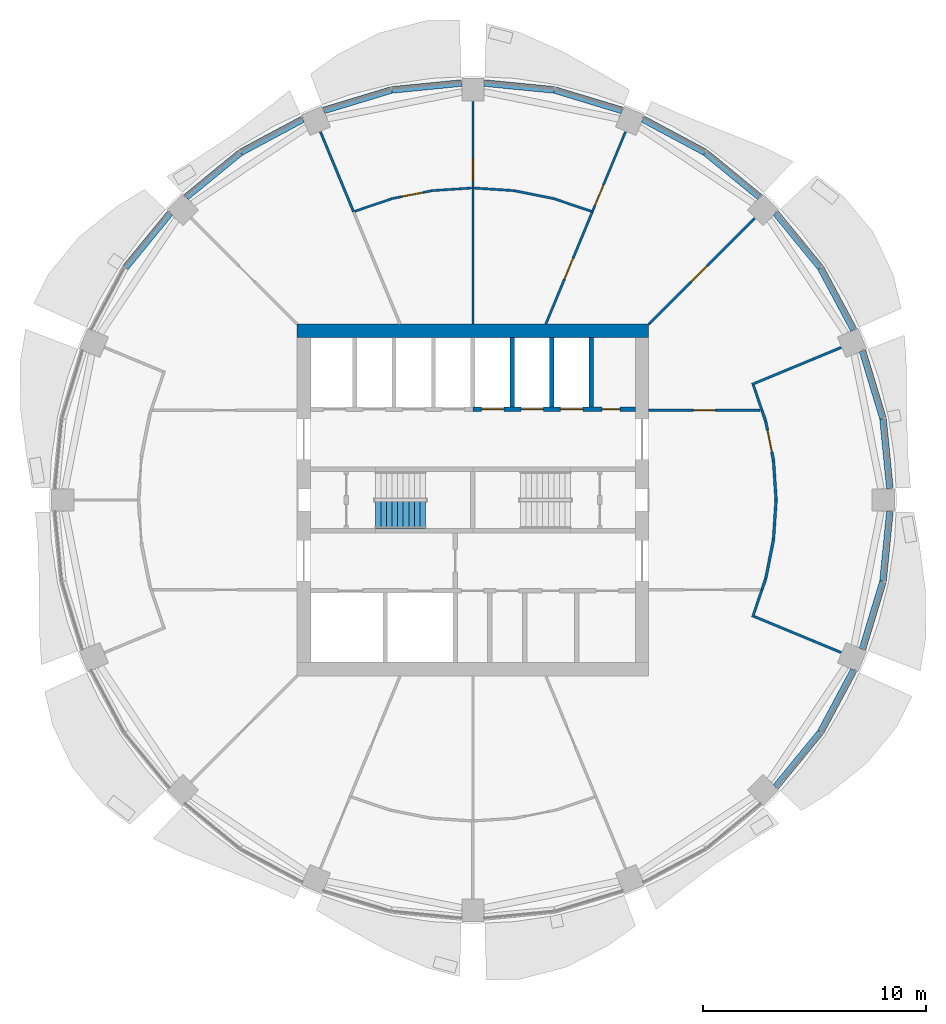
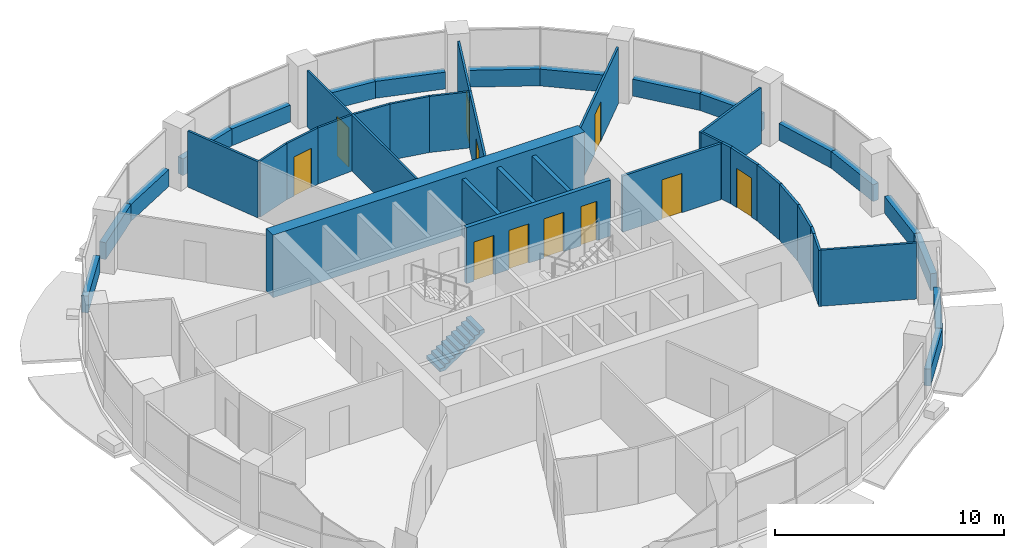
# One storey, part 10 of 15: 45 walls, 11 doors, 1 stair flight, 11 openings, 1 element without a shape of its own.
"""IFC4 building model written with IfcOpenShell, lengths in metres."""

from ifc_helpers import new_model, si_unit, direction, frame, frame_2d, origin, place, context, subcontext, project, spatial, polyline, rectangle, outline, extrude, material, layer, layer_set, type_object, element, fill, aggregate, save


model = new_model("IFC4")

# Units and contexts
model_context = context("Model", 3, precision=1e-05, world=origin(), true_north=direction((0.0, 1.0)))
body_context = subcontext(model_context, "Body", "Model", "MODEL_VIEW")
ifc_project = project(units=[si_unit("LENGTHUNIT", "METRE"), si_unit("AREAUNIT", "SQUARE_METRE"), si_unit("VOLUMEUNIT", "CUBIC_METRE"), si_unit("PLANEANGLEUNIT", "RADIAN"), si_unit("MASSUNIT", "GRAM", prefix="KILO")], contexts=[model_context])

# Site, building, storey
site_placement = place(None, origin())
site = spatial("IfcSite", under=ifc_project, at=site_placement, CompositionType="ELEMENT")
building_placement = place(site_placement, origin())
building = spatial("IfcBuilding", under=site, at=building_placement, Name="Polderwave Tower", CompositionType="ELEMENT")
storey_placement = place(building_placement, frame((0.0, 0.0, 137.699951171875)))
storey = spatial("IfcBuildingStorey", under=building, at=storey_placement, Name="L36", CompositionType="ELEMENT", Elevation=137.699951171875)

# Walls
ifc_material_1 = material(Name="Concrete C60/75", Category="concrete")
ifc_layer_1 = layer(ifc_material_1, 0.60009765625)
ifc_layer_set_1 = layer_set([ifc_layer_1], Name="CORE WALL 600 C60/75")
wall_type_1 = type_object("IfcWallType", Name="CORE WALL 600 C60/75", PredefinedType="SHEAR", material=ifc_layer_set_1)
wall_1_placement = place(storey_placement, frame((-7.8740234375, 7.573974609375, 0.0), z_axis=(0.0, 0.0, 1.0), x_axis=(1.0, 0.0, 0.0)))
element("IfcWall", 1, at=wall_1_placement, inside=storey, type_object=wall_type_1, Name="ST-CORE-L36-N", PredefinedType="SHEAR", context=body_context, shape_type="SweptSolid", body=[
    extrude(rectangle(XDim=15.748046875, YDim=0.60009765625, at=frame_2d((7.8740234375, 0.0))), origin(), (0.0, 0.0, 1.0), 3.35009765625),
])
ifc_material_2 = material(Name="Concrete C50/60 (board-marked)", Category="concrete")
ifc_layer_2 = layer(ifc_material_2, 0.300048828125)
ifc_layer_set_2 = layer_set([ifc_layer_2], Name="Concrete spandrel upstand C50/60")
wall_type_2 = type_object("IfcWallType", Name="Concrete spandrel upstand C50/60", PredefinedType="SOLIDWALL", material=ifc_layer_set_2)
for number, where, z_axis, x_axis, name in (
    (2, (18.679443359375, 0.513916015625, 0.0), (0.0, 0.0, 1.0), (-0.098033428421, 0.995183122301, 0.0), "Spandrel L36 1a"),
    (3, (18.365478515625, 3.66845703125, 0.0), (0.0, 0.0, 1.0), (-0.290434573745, 0.956894852308, 0.0), "Spandrel L36 1b"),
):
    element("IfcWall", number, at=place(storey_placement, frame(where, z_axis=z_axis, x_axis=x_axis)), inside=storey, type_object=wall_type_2, Name=name, PredefinedType="SOLIDWALL", context=body_context, shape_type="SweptSolid", body=[
        extrude(rectangle(XDim=3.140380859375, YDim=0.300048828125, at=frame_2d((1.5703125, 0.0))), origin(), (0.0, 0.0, 1.0), 0.900146484375),
    ])
for number, where, z_axis, x_axis, name in (
    (4, (17.060791015625, 7.623291015625, 0.0), (0.0, 0.0, 1.0), (-0.471487773873, 0.881872597991, 0.0), "Spandrel L36 2a"),
    (5, (15.5634765625, 10.41748046875, 0.0), (0.0, 0.0, 1.0), (-0.634270150579, 0.773111490074, 0.0), "Spandrel L36 2b"),
    (6, (12.845458984375, 13.571533203125, 0.0), (0.0, 0.0, 1.0), (-0.773111490074, 0.634270150579, 0.0), "Spandrel L36 3a"),
    (7, (10.392822265625, 15.580078125, 0.0), (0.0, 0.0, 1.0), (-0.881872597991, 0.471487773873, 0.0), "Spandrel L36 3b"),
):
    element("IfcWall", number, at=place(storey_placement, frame(where, z_axis=z_axis, x_axis=x_axis)), inside=storey, type_object=wall_type_2, Name=name, PredefinedType="SOLIDWALL", context=body_context, shape_type="SweptSolid", body=[
        extrude(rectangle(XDim=3.140625, YDim=0.300048828125, at=frame_2d((1.5703125, 0.0))), origin(), (0.0, 0.0, 1.0), 0.900146484375),
    ])
for number, where, z_axis, x_axis, name in (
    (8, (6.673583984375, 17.453369140625, 0.0), (0.0, 0.0, 1.0), (-0.956894852308, 0.290434573745, 0.0), "Spandrel L36 4a"),
    (9, (3.63916015625, 18.37158203125, 0.0), (0.0, 0.0, 1.0), (-0.995183122301, 0.098033428421, 0.0), "Spandrel L36 4b"),
    (10, (-0.513916015625, 18.679443359375, 0.0), (0.0, 0.0, 1.0), (-0.995183122301, -0.098033428421, 0.0), "Spandrel L36 5a"),
    (11, (-3.66845703125, 18.365478515625, 0.0), (0.0, 0.0, 1.0), (-0.956894852308, -0.290434573745, 0.0), "Spandrel L36 5b"),
):
    element("IfcWall", number, at=place(storey_placement, frame(where, z_axis=z_axis, x_axis=x_axis)), inside=storey, type_object=wall_type_2, Name=name, PredefinedType="SOLIDWALL", context=body_context, shape_type="SweptSolid", body=[
        extrude(rectangle(XDim=3.140380859375, YDim=0.300048828125, at=frame_2d((1.5703125, 0.0))), origin(), (0.0, 0.0, 1.0), 0.900146484375),
    ])
for number, where, z_axis, x_axis, name in (
    (12, (-7.623291015625, 17.060791015625, 0.0), (0.0, 0.0, 1.0), (-0.881872597991, -0.471487773873, 0.0), "Spandrel L36 6a"),
    (13, (-10.41748046875, 15.5634765625, 0.0), (0.0, 0.0, 1.0), (-0.773111490074, -0.634270150579, 0.0), "Spandrel L36 6b"),
    (14, (-13.571533203125, 12.845458984375, 0.0), (0.0, 0.0, 1.0), (-0.634270150579, -0.773111490074, 0.0), "Spandrel L36 7a"),
    (15, (13.571533203125, -12.845458984375, 0.0), (0.0, 0.0, 1.0), (0.634270150579, 0.773111490074, 0.0), "Spandrel L36 15a"),
    (16, (15.580078125, -10.392822265625, 0.0), (0.0, 0.0, 1.0), (0.471487773873, 0.881872597991, 0.0), "Spandrel L36 15b"),
):
    element("IfcWall", number, at=place(storey_placement, frame(where, z_axis=z_axis, x_axis=x_axis)), inside=storey, type_object=wall_type_2, Name=name, PredefinedType="SOLIDWALL", context=body_context, shape_type="SweptSolid", body=[
        extrude(rectangle(XDim=3.140625, YDim=0.300048828125, at=frame_2d((1.5703125, 0.0))), origin(), (0.0, 0.0, 1.0), 0.900146484375),
    ])
for number, where, z_axis, x_axis, name in (
    (17, (17.453369140625, -6.673583984375, 0.0), (0.0, 0.0, 1.0), (0.290434573745, 0.956894852308, 0.0), "Spandrel L36 16a"),
    (18, (18.37158203125, -3.63916015625, 0.0), (0.0, 0.0, 1.0), (0.098033428421, 0.995183122301, 0.0), "Spandrel L36 16b"),
):
    element("IfcWall", number, at=place(storey_placement, frame(where, z_axis=z_axis, x_axis=x_axis)), inside=storey, type_object=wall_type_2, Name=name, PredefinedType="SOLIDWALL", context=body_context, shape_type="SweptSolid", body=[
        extrude(rectangle(XDim=3.140380859375, YDim=0.300048828125, at=frame_2d((1.5703125, 0.0))), origin(), (0.0, 0.0, 1.0), 0.900146484375),
    ])

# Wall, openings, doors
ifc_material_3 = material(Name="Concrete C50/60", Category="concrete")
ifc_layer_3 = layer(ifc_material_3, 0.199951171875)
ifc_layer_set_3 = layer_set([ifc_layer_3], Name="Core web wall 200")
wall_type_3 = type_object("IfcWallType", Name="Core web wall 200", PredefinedType="SHEAR", material=ifc_layer_set_3)
wall_2_placement = place(storey_placement, frame((0.0, 4.073974609375, 0.0), z_axis=(0.0, 0.0, 1.0), x_axis=(1.0, 0.0, 0.0)))
wall_2 = element("IfcWall", 19, at=wall_2_placement, inside=storey, type_object=wall_type_3, Name="L36 north front wall 2", PredefinedType="SHEAR", context=body_context, shape_type="SweptSolid", body=[
    extrude(rectangle(XDim=7.27392578125, YDim=0.199951171875, at=frame_2d((3.636962890625, 0.0))), origin(), (0.0, 0.0, 1.0), 3.0),
])
opening_1_placement = place(wall_2_placement, frame((0.38427734375, 0.0, 0.0)))
opening_1 = element("IfcOpeningElement", 20, at=opening_1_placement, cuts=wall_2, Name="Opening L36-D07", PredefinedType="OPENING", context=body_context, shape_type="SweptSolid", body=[
    extrude(rectangle(XDim=1.0, YDim=2.10009765625, at=frame_2d((0.5, 1.050048828125))), frame((0.0, 0.10986328125, 0.0), z_axis=(0.0, -1.0, 0.0), x_axis=(1.0, 0.0, 0.0)), (0.0, 0.0, 1.0), 0.219970703125),
])
opening_2_placement = place(wall_2_placement, frame((2.15283203125, 0.0, 0.0)))
opening_2 = element("IfcOpeningElement", 21, at=opening_2_placement, cuts=wall_2, Name="Opening L36-D08", PredefinedType="OPENING", context=body_context, shape_type="SweptSolid", body=[
    extrude(rectangle(XDim=1.0, YDim=2.10009765625, at=frame_2d((0.5, 1.050048828125))), frame((0.0, 0.10986328125, 0.0), z_axis=(0.0, -1.0, 0.0), x_axis=(1.0, 0.0, 0.0)), (0.0, 0.0, 1.0), 0.219970703125),
])
opening_3_placement = place(wall_2_placement, frame((3.921142578125, 0.0, 0.0)))
opening_3 = element("IfcOpeningElement", 22, at=opening_3_placement, cuts=wall_2, Name="Opening L36-D09", PredefinedType="OPENING", context=body_context, shape_type="SweptSolid", body=[
    extrude(rectangle(XDim=1.0, YDim=2.10009765625, at=frame_2d((0.5, 1.050048828125))), frame((0.0, 0.10986328125, 0.0), z_axis=(0.0, -1.0, 0.0), x_axis=(1.0, 0.0, 0.0)), (0.0, 0.0, 1.0), 0.219970703125),
])
opening_4_placement = place(wall_2_placement, frame((5.789794921875, 0.0, 0.0)))
opening_4 = element("IfcOpeningElement", 23, at=opening_4_placement, cuts=wall_2, Name="Opening L36-D19", PredefinedType="OPENING", context=body_context, shape_type="SweptSolid", body=[
    extrude(rectangle(XDim=0.800048828125, YDim=2.10009765625, at=frame_2d((0.39990234375, 1.050048828125))), frame((0.0, 0.10986328125, 0.0), z_axis=(0.0, -1.0, 0.0), x_axis=(1.0, 0.0, 0.0)), (0.0, 0.0, 1.0), 0.219970703125),
])
ifc_material_4 = material(Name="Stainless steel", Category="steel")
door_type_1 = type_object("IfcDoorType", Name="Lift landing door 1000", OperationType="DOUBLE_DOOR_SLIDING", PredefinedType="DOOR", material=ifc_material_4)
door_1_placement = place(opening_1_placement, frame((1.0, 0.0, 0.0), z_axis=(0.0, 0.0, 1.0), x_axis=(-1.0, 0.0, 0.0)))
door_1 = element("IfcDoor", 24, at=door_1_placement, inside=storey, type_object=door_type_1, Name="Lift HL5 landing door", OperationType="DOUBLE_DOOR_SLIDING", OverallHeight=2.10009765625, OverallWidth=1.0, PredefinedType="DOOR", context=body_context, shape_type="SweptSolid", body=[
    extrude(rectangle(XDim=1.0, YDim=2.10009765625, at=frame_2d((0.5, 1.050048828125))), frame((0.0, 0.02490234375, 0.0), z_axis=(0.0, -1.0, 0.0), x_axis=(1.0, 0.0, 0.0)), (0.0, 0.0, 1.0), 0.050048828125),
])
fill(opening_1, door_1)
door_2_placement = place(opening_2_placement, frame((1.0, 0.0, 0.0), z_axis=(0.0, 0.0, 1.0), x_axis=(-1.0, 0.0, 0.0)))
door_2 = element("IfcDoor", 25, at=door_2_placement, inside=storey, type_object=door_type_1, Name="Lift HL6 landing door", OperationType="DOUBLE_DOOR_SLIDING", OverallHeight=2.10009765625, OverallWidth=1.0, PredefinedType="DOOR", context=body_context, shape_type="SweptSolid", body=[
    extrude(rectangle(XDim=1.0, YDim=2.10009765625, at=frame_2d((0.5, 1.050048828125))), frame((0.0, 0.02490234375, 0.0), z_axis=(0.0, -1.0, 0.0), x_axis=(1.0, 0.0, 0.0)), (0.0, 0.0, 1.0), 0.050048828125),
])
fill(opening_2, door_2)
door_3_placement = place(opening_3_placement, frame((1.0, 0.0, 0.0), z_axis=(0.0, 0.0, 1.0), x_axis=(-1.0, 0.0, 0.0)))
door_3 = element("IfcDoor", 26, at=door_3_placement, inside=storey, type_object=door_type_1, Name="Lift HL7 landing door", OperationType="DOUBLE_DOOR_SLIDING", OverallHeight=2.10009765625, OverallWidth=1.0, PredefinedType="DOOR", context=body_context, shape_type="SweptSolid", body=[
    extrude(rectangle(XDim=1.0, YDim=2.10009765625, at=frame_2d((0.5, 1.050048828125))), frame((0.0, 0.02490234375, 0.0), z_axis=(0.0, -1.0, 0.0), x_axis=(1.0, 0.0, 0.0)), (0.0, 0.0, 1.0), 0.050048828125),
])
fill(opening_3, door_3)
ifc_material_5 = material(Name="Steel fire door", Category="steel")
door_type_2 = type_object("IfcDoorType", Name="Riser door 800", OperationType="NOTDEFINED", PredefinedType="DOOR", material=ifc_material_5)
door_4_placement = place(opening_4_placement, frame((0.800048828125, 0.0, 0.0), z_axis=(0.0, 0.0, 1.0), x_axis=(-1.0, 0.0, 0.0)))
door_4 = element("IfcDoor", 27, at=door_4_placement, inside=storey, type_object=door_type_2, Name="Riser door", OperationType="SINGLE_SWING_LEFT", OverallHeight=2.10009765625, OverallWidth=0.800048828125, PredefinedType="DOOR", context=body_context, shape_type="SweptSolid", body=[
    extrude(rectangle(XDim=0.800048828125, YDim=2.10009765625, at=frame_2d((0.39990234375, 1.050048828125))), frame((0.0, 0.02490234375, 0.0), z_axis=(0.0, -1.0, 0.0), x_axis=(1.0, 0.0, 0.0)), (0.0, 0.0, 1.0), 0.050048828125),
])
fill(opening_4, door_4)

# Walls
ifc_material_6 = material(Name="Fire-resisting board on steel studs", Category="steel")
ifc_layer_4 = layer(ifc_material_6, 0.125)
ifc_layer_set_4 = layer_set([ifc_layer_4], Name="Corridor wall 125 mm EI 60")
wall_type_4 = type_object("IfcWallType", Name="Corridor wall 125 mm EI 60", PredefinedType="PARTITIONING", material=ifc_layer_set_4)
for number, where, z_axis, x_axis, name in (
    (28, (12.944091796875, 4.0244140625, 0.0), (0.0, 0.0, 1.0), (0.321845361422, -0.946792249298, 0.0), "IN-L36-W001"),
    (29, (13.115966796875, -3.518798828125, 0.0), (0.0, 0.0, 1.0), (-0.321845361422, -0.946792249298, 0.0), "IN-L36-W002"),
):
    element("IfcWall", number, at=place(storey_placement, frame(where, z_axis=z_axis, x_axis=x_axis)), inside=storey, type_object=wall_type_4, Name=name, PredefinedType="PARTITIONING", context=body_context, shape_type="SweptSolid", body=[
        extrude(rectangle(XDim=0.533935546875, YDim=0.125, at=frame_2d((0.26708984375, 0.0))), origin(), (0.0, 0.0, 1.0), 3.0),
    ])

# Wall, opening, door
wall_3_placement = place(storey_placement, frame((13.1181640625, 3.5107421875, 0.0), z_axis=(0.0, 0.0, 1.0), x_axis=(0.194974156358, -0.980808380038, 0.0)))
wall_3 = element("IfcWall", 30, at=wall_3_placement, inside=storey, type_object=wall_type_4, Name="IN-L36-W003", PredefinedType="PARTITIONING", context=body_context, shape_type="SweptSolid", body=[
    extrude(rectangle(XDim=1.76806640625, YDim=0.125, at=frame_2d((0.884033203125, 0.0))), origin(), (0.0, 0.0, 1.0), 3.0),
])
opening_5_placement = place(wall_3_placement, frame((0.39990234375, 0.0, 0.0)))
opening_5 = element("IfcOpeningElement", 31, at=opening_5_placement, cuts=wall_3, Name="Opening L36-D50", PredefinedType="OPENING", context=body_context, shape_type="SweptSolid", body=[
    extrude(rectangle(XDim=1.0, YDim=2.10009765625, at=frame_2d((0.5, 1.050048828125))), frame((0.0, 0.072509765625, 0.0), z_axis=(0.0, -1.0, 0.0), x_axis=(1.0, 0.0, 0.0)), (0.0, 0.0, 1.0), 0.14501953125),
])
ifc_material_7 = material(Name="Timber fire door leaf", Category="wood")
door_type_3 = type_object("IfcDoorType", Name="Fire door FD30S 1000 x 2100", OperationType="NOTDEFINED", PredefinedType="DOOR", material=ifc_material_7)
door_5_placement = place(opening_5_placement, origin())
door_5 = element("IfcDoor", 32, at=door_5_placement, inside=storey, type_object=door_type_3, Name="Door L36-D50", OperationType="SINGLE_SWING_RIGHT", OverallHeight=2.10009765625, OverallWidth=1.0, PredefinedType="DOOR", context=body_context, shape_type="SweptSolid", body=[
    extrude(rectangle(XDim=1.0, YDim=2.10009765625, at=frame_2d((0.5, 1.050048828125))), frame((0.0, 0.02490234375, 0.0), z_axis=(0.0, -1.0, 0.0), x_axis=(1.0, 0.0, 0.0)), (0.0, 0.0, 1.0), 0.050048828125),
])
fill(opening_5, door_5)

# Walls
wall_4_placement = place(storey_placement, frame((13.462890625, -1.776611328125, 0.0), z_axis=(0.0, 0.0, 1.0), x_axis=(-0.194974156358, -0.980808380038, 0.0)))
element("IfcWall", 33, at=wall_4_placement, inside=storey, type_object=wall_type_4, Name="IN-L36-W004", PredefinedType="PARTITIONING", context=body_context, shape_type="SweptSolid", body=[
    extrude(rectangle(XDim=1.76806640625, YDim=0.125, at=frame_2d((0.884033203125, 0.0))), origin(), (0.0, 0.0, 1.0), 3.0),
])
for number, where, z_axis, x_axis, name in (
    (34, (13.464111328125, 1.768310546875, 0.0), (0.0, 0.0, 1.0), (0.06531828113, -0.997864480854, 0.0), "IN-L36-W005"),
    (35, (13.57958984375, -0.004150390625, 0.0), (0.0, 0.0, 1.0), (-0.06531828113, -0.997864480854, 0.0), "IN-L36-W006"),
):
    element("IfcWall", number, at=place(storey_placement, frame(where, z_axis=z_axis, x_axis=x_axis)), inside=storey, type_object=wall_type_4, Name=name, PredefinedType="PARTITIONING", context=body_context, shape_type="SweptSolid", body=[
        extrude(rectangle(XDim=1.767822265625, YDim=0.125, at=frame_2d((0.8837890625, 0.0))), origin(), (0.0, 0.0, 1.0), 3.0),
    ])

# Wall, opening, door
wall_5_placement = place(storey_placement, frame((7.8740234375, 4.0244140625, 0.0), z_axis=(0.0, 0.0, 1.0), x_axis=(1.0, 0.0, 0.0)))
wall_5 = element("IfcWall", 36, at=wall_5_placement, inside=storey, type_object=wall_type_4, Name="IN-L36-W007", PredefinedType="PARTITIONING", context=body_context, shape_type="SweptSolid", body=[
    extrude(rectangle(XDim=4.98291015625, YDim=0.125, at=frame_2d((2.491455078125, 0.0))), origin(), (0.0, 0.0, 1.0), 3.0),
])
opening_6_placement = place(wall_5_placement, frame((2.0, 0.0, 0.0)))
opening_6 = element("IfcOpeningElement", 37, at=opening_6_placement, cuts=wall_5, Name="Opening L36-D51", PredefinedType="OPENING", context=body_context, shape_type="SweptSolid", body=[
    extrude(rectangle(XDim=1.0, YDim=2.10009765625, at=frame_2d((0.5, 1.050048828125))), frame((0.0, 0.072509765625, 0.0), z_axis=(0.0, -1.0, 0.0), x_axis=(1.0, 0.0, 0.0)), (0.0, 0.0, 1.0), 0.14501953125),
])
door_6_placement = place(opening_6_placement, origin())
door_6 = element("IfcDoor", 38, at=door_6_placement, inside=storey, type_object=door_type_3, Name="Door L36-D51", OperationType="SINGLE_SWING_RIGHT", OverallHeight=2.10009765625, OverallWidth=1.0, PredefinedType="DOOR", context=body_context, shape_type="SweptSolid", body=[
    extrude(rectangle(XDim=1.0, YDim=2.10009765625, at=frame_2d((0.5, 1.050048828125))), frame((0.0, 0.02490234375, 0.0), z_axis=(0.0, -1.0, 0.0), x_axis=(1.0, 0.0, 0.0)), (0.0, 0.0, 1.0), 0.050048828125),
])
fill(opening_6, door_6)

ifc_material_8 = material(Name="Plasterboard on steel studs", Category="steel")
ifc_layer_5 = layer(ifc_material_8, 0.10009765625)
ifc_layer_set_5 = layer_set([ifc_layer_5], Name="Partition 100 mm plasterboard on steel studs")
wall_type_5 = type_object("IfcWallType", Name="Partition 100 mm plasterboard on steel studs", PredefinedType="PARTITIONING", material=ifc_layer_set_5)
wall_6_placement = place(storey_placement, frame((7.8740234375, 7.8740234375, 0.0), z_axis=(0.0, 0.0, 1.0), x_axis=(0.707106781187, 0.707106781187, 0.0)))
wall_6 = element("IfcWall", 39, at=wall_6_placement, inside=storey, type_object=wall_type_5, Name="IN-L36-W021", PredefinedType="PARTITIONING", context=body_context, shape_type="SweptSolid", body=[
    extrude(rectangle(XDim=6.71435546875, YDim=0.10009765625, at=frame_2d((3.357177734375, 0.0))), origin(), (0.0, 0.0, 1.0), 3.0),
])
opening_7_placement = place(wall_6_placement, frame((2.699951171875, 0.0, 0.0)))
opening_7 = element("IfcOpeningElement", 40, at=opening_7_placement, cuts=wall_6, Name="Opening L36-D57", PredefinedType="OPENING", context=body_context, shape_type="SweptSolid", body=[
    extrude(rectangle(XDim=1.0, YDim=2.10009765625, at=frame_2d((0.5, 1.050048828125))), frame((0.0, 0.06005859375, 0.0), z_axis=(0.0, -1.0, 0.0), x_axis=(1.0, 0.0, 0.0)), (0.0, 0.0, 1.0), 0.1201171875),
])
ifc_material_9 = material(Name="Timber veneer door leaf", Category="wood")
door_type_4 = type_object("IfcDoorType", Name="Single door 1000 x 2100", OperationType="NOTDEFINED", PredefinedType="DOOR", material=ifc_material_9)
door_7_placement = place(opening_7_placement, origin())
door_7 = element("IfcDoor", 41, at=door_7_placement, inside=storey, type_object=door_type_4, Name="Door L36-D57", OperationType="SINGLE_SWING_LEFT", OverallHeight=2.10009765625, OverallWidth=1.0, PredefinedType="DOOR", context=body_context, shape_type="SweptSolid", body=[
    extrude(rectangle(XDim=1.0, YDim=2.10009765625, at=frame_2d((0.5, 1.050048828125))), frame((0.0, 0.02490234375, 0.0), z_axis=(0.0, -1.0, 0.0), x_axis=(1.0, 0.0, 0.0)), (0.0, 0.0, 1.0), 0.050048828125),
])
fill(opening_7, door_7)

wall_7_placement = place(storey_placement, frame((5.349853515625, 12.915771484375, 0.0), z_axis=(0.0, 0.0, 1.0), x_axis=(0.382674944996, 0.923883048049, 0.0)))
wall_7 = element("IfcWall", 42, at=wall_7_placement, inside=storey, type_object=wall_type_5, Name="IN-L36-W023", PredefinedType="PARTITIONING", context=body_context, shape_type="SweptSolid", body=[
    extrude(rectangle(XDim=3.8701171875, YDim=0.10009765625, at=frame_2d((1.93505859375, 0.0))), origin(), (0.0, 0.0, 1.0), 3.0),
])
opening_8_placement = place(wall_7_placement, frame((0.300048828125, 0.0, 0.0)))
opening_8 = element("IfcOpeningElement", 43, at=opening_8_placement, cuts=wall_7, Name="Opening L36-D59", PredefinedType="OPENING", context=body_context, shape_type="SweptSolid", body=[
    extrude(rectangle(XDim=1.0, YDim=2.10009765625, at=frame_2d((0.5, 1.050048828125))), frame((0.0, 0.06005859375, 0.0), z_axis=(0.0, -1.0, 0.0), x_axis=(1.0, 0.0, 0.0)), (0.0, 0.0, 1.0), 0.1201171875),
])
door_8_placement = place(opening_8_placement, origin())
door_8 = element("IfcDoor", 44, at=door_8_placement, inside=storey, type_object=door_type_4, Name="Door L36-D59", OperationType="SINGLE_SWING_LEFT", OverallHeight=2.10009765625, OverallWidth=1.0, PredefinedType="DOOR", context=body_context, shape_type="SweptSolid", body=[
    extrude(rectangle(XDim=1.0, YDim=2.10009765625, at=frame_2d((0.5, 1.050048828125))), frame((0.0, 0.02490234375, 0.0), z_axis=(0.0, -1.0, 0.0), x_axis=(1.0, 0.0, 0.0)), (0.0, 0.0, 1.0), 0.050048828125),
])
fill(opening_8, door_8)

wall_8_placement = place(storey_placement, frame((0.0, 13.97998046875, 0.0), z_axis=(0.0, 0.0, 1.0), x_axis=(0.0, 1.0, 0.0)))
wall_8 = element("IfcWall", 45, at=wall_8_placement, inside=storey, type_object=wall_type_5, Name="IN-L36-W028", PredefinedType="PARTITIONING", context=body_context, shape_type="SweptSolid", body=[
    extrude(rectangle(XDim=3.8701171875, YDim=0.10009765625, at=frame_2d((1.93505859375, 0.0))), origin(), (0.0, 0.0, 1.0), 3.0),
])
opening_9_placement = place(wall_8_placement, frame((0.300048828125, 0.0, 0.0)))
opening_9 = element("IfcOpeningElement", 46, at=opening_9_placement, cuts=wall_8, Name="Opening L36-D60", PredefinedType="OPENING", context=body_context, shape_type="SweptSolid", body=[
    extrude(rectangle(XDim=1.0, YDim=2.10009765625, at=frame_2d((0.5, 1.050048828125))), frame((0.0, 0.06005859375, 0.0), z_axis=(0.0, -1.0, 0.0), x_axis=(1.0, 0.0, 0.0)), (0.0, 0.0, 1.0), 0.1201171875),
])
door_9_placement = place(opening_9_placement, origin())
door_9 = element("IfcDoor", 47, at=door_9_placement, inside=storey, type_object=door_type_4, Name="Door L36-D60", OperationType="SINGLE_SWING_LEFT", OverallHeight=2.10009765625, OverallWidth=1.0, PredefinedType="DOOR", context=body_context, shape_type="SweptSolid", body=[
    extrude(rectangle(XDim=1.0, YDim=2.10009765625, at=frame_2d((0.5, 1.050048828125))), frame((0.0, 0.02490234375, 0.0), z_axis=(0.0, -1.0, 0.0), x_axis=(1.0, 0.0, 0.0)), (0.0, 0.0, 1.0), 0.050048828125),
])
fill(opening_9, door_9)

# Wall
wall_9_placement = place(storey_placement, frame((-5.294677734375, 12.9345703125, 0.0), z_axis=(0.0, 0.0, 1.0), x_axis=(0.946956178164, 0.321362718181, 0.0)))
element("IfcWall", 48, at=wall_9_placement, inside=storey, type_object=wall_type_5, Name="IN-L36-W029", PredefinedType="PARTITIONING", context=body_context, shape_type="SweptSolid", body=[
    extrude(rectangle(XDim=1.76708984375, YDim=0.10009765625, at=frame_2d((0.883544921875, 0.0))), origin(), (0.0, 0.0, 1.0), 3.0),
])

# Wall, opening, door
wall_10_placement = place(storey_placement, frame((-1.827880859375, 13.85986328125, 0.0), z_axis=(0.0, 0.0, 1.0), x_axis=(-0.980760623666, -0.195214238891, 0.0)))
wall_10 = element("IfcWall", 49, at=wall_10_placement, inside=storey, type_object=wall_type_5, Name="IN-L36-W030", PredefinedType="PARTITIONING", context=body_context, shape_type="SweptSolid", body=[
    extrude(rectangle(XDim=1.822265625, YDim=0.10009765625, at=frame_2d((0.9111328125, 0.0))), origin(), (0.0, 0.0, 1.0), 3.0),
])
opening_10_placement = place(wall_10_placement, frame((0.39990234375, 0.0, 0.0)))
opening_10 = element("IfcOpeningElement", 50, at=opening_10_placement, cuts=wall_10, Name="Opening L36-D61", PredefinedType="OPENING", context=body_context, shape_type="SweptSolid", body=[
    extrude(rectangle(XDim=1.0, YDim=2.10009765625, at=frame_2d((0.5, 1.050048828125))), frame((0.0, 0.06005859375, 0.0), z_axis=(0.0, -1.0, 0.0), x_axis=(1.0, 0.0, 0.0)), (0.0, 0.0, 1.0), 0.1201171875),
])
door_10_placement = place(opening_10_placement, origin())
door_10 = element("IfcDoor", 51, at=door_10_placement, inside=storey, type_object=door_type_4, Name="Door L36-D61", OperationType="SINGLE_SWING_LEFT", OverallHeight=2.10009765625, OverallWidth=1.0, PredefinedType="DOOR", context=body_context, shape_type="SweptSolid", body=[
    extrude(rectangle(XDim=1.0, YDim=2.10009765625, at=frame_2d((0.5, 1.050048828125))), frame((0.0, 0.02490234375, 0.0), z_axis=(0.0, -1.0, 0.0), x_axis=(1.0, 0.0, 0.0)), (0.0, 0.0, 1.0), 0.050048828125),
])
fill(opening_10, door_10)

# Wall
wall_11_placement = place(storey_placement, frame((-1.821533203125, 13.860595703125, 0.0), z_axis=(0.0, 0.0, 1.0), x_axis=(0.997859016196, 0.065401710962, 0.0)))
element("IfcWall", 52, at=wall_11_placement, inside=storey, type_object=wall_type_5, Name="IN-L36-W031", PredefinedType="PARTITIONING", context=body_context, shape_type="SweptSolid", body=[
    extrude(rectangle(XDim=1.76953125, YDim=0.10009765625, at=frame_2d((0.884765625, 0.0))), origin(), (0.0, 0.0, 1.0), 3.0),
])

# Wall, opening, door
ifc_material_10 = material(Name="Moisture-resistant board on steel studs, tiled", Category="steel")
ifc_layer_6 = layer(ifc_material_10, 0.10498046875)
ifc_layer_set_6 = layer_set([ifc_layer_6], Name="Partition 105 mm wet room board and tile")
wall_type_6 = type_object("IfcWallType", Name="Partition 105 mm wet room board and tile", PredefinedType="PARTITIONING", material=ifc_layer_set_6)
wall_12_placement = place(storey_placement, frame((3.261474609375, 7.8740234375, 0.0), z_axis=(0.0, 0.0, 1.0), x_axis=(0.38268632394, 0.923878334777, 0.0)))
wall_12 = element("IfcWall", 53, at=wall_12_placement, inside=storey, type_object=wall_type_6, Name="IN-L36-W022", PredefinedType="PARTITIONING", context=body_context, shape_type="SweptSolid", body=[
    extrude(rectangle(XDim=5.457275390625, YDim=0.10498046875, at=frame_2d((2.728515625, 0.0))), origin(), (0.0, 0.0, 1.0), 3.0),
])
opening_11_placement = place(wall_12_placement, frame((2.199951171875, 0.0, 0.0)))
opening_11 = element("IfcOpeningElement", 54, at=opening_11_placement, cuts=wall_12, Name="Opening L36-D58", PredefinedType="OPENING", context=body_context, shape_type="SweptSolid", body=[
    extrude(rectangle(XDim=1.0, YDim=2.10009765625, at=frame_2d((0.5, 1.050048828125))), frame((0.0, 0.0625, 0.0), z_axis=(0.0, -1.0, 0.0), x_axis=(1.0, 0.0, 0.0)), (0.0, 0.0, 1.0), 0.125),
])
door_11_placement = place(opening_11_placement, origin())
door_11 = element("IfcDoor", 55, at=door_11_placement, inside=storey, type_object=door_type_4, Name="Door L36-D58", OperationType="SINGLE_SWING_LEFT", OverallHeight=2.10009765625, OverallWidth=1.0, PredefinedType="DOOR", context=body_context, shape_type="SweptSolid", body=[
    extrude(rectangle(XDim=1.0, YDim=2.10009765625, at=frame_2d((0.5, 1.050048828125))), frame((0.0, 0.02490234375, 0.0), z_axis=(0.0, -1.0, 0.0), x_axis=(1.0, 0.0, 0.0)), (0.0, 0.0, 1.0), 0.050048828125),
])
fill(opening_11, door_11)

# Walls
wall_13_placement = place(storey_placement, frame((0.055908203125, 13.976318359375, 0.0), z_axis=(0.0, 0.0, 1.0), x_axis=(0.997858425888, -0.065410716895, 0.0)))
element("IfcWall", 56, at=wall_13_placement, inside=storey, type_object=wall_type_6, Name="IN-L36-W024", PredefinedType="PARTITIONING", context=body_context, shape_type="SweptSolid", body=[
    extrude(rectangle(XDim=1.769287109375, YDim=0.10498046875, at=frame_2d((0.884765625, 0.0))), origin(), (0.0, 0.0, 1.0), 3.0),
])
wall_14_placement = place(storey_placement, frame((1.828125, 13.859619140625, 0.0), z_axis=(0.0, 0.0, 1.0), x_axis=(0.980806803366, -0.194982087566, 0.0)))
element("IfcWall", 57, at=wall_14_placement, inside=storey, type_object=wall_type_6, Name="IN-L36-W025", PredefinedType="PARTITIONING", context=body_context, shape_type="SweptSolid", body=[
    extrude(rectangle(XDim=1.82177734375, YDim=0.10498046875, at=frame_2d((0.910888671875, 0.0))), origin(), (0.0, 0.0, 1.0), 3.0),
])
wall_15_placement = place(storey_placement, frame((3.62158203125, 13.50244140625, 0.0), z_axis=(0.0, 0.0, 1.0), x_axis=(0.946944205154, -0.321397996765, 0.0)))
element("IfcWall", 58, at=wall_15_placement, inside=storey, type_object=wall_type_6, Name="IN-L36-W026", PredefinedType="PARTITIONING", context=body_context, shape_type="SweptSolid", body=[
    extrude(rectangle(XDim=1.76904296875, YDim=0.10498046875, at=frame_2d((0.884521484375, 0.0))), origin(), (0.0, 0.0, 1.0), 3.0),
])
wall_16_placement = place(storey_placement, frame((0.0, 7.8740234375, 0.0), z_axis=(0.0, 0.0, 1.0), x_axis=(0.0, 1.0, 0.0)))
element("IfcWall", 59, at=wall_16_placement, inside=storey, type_object=wall_type_6, Name="IN-L36-W027", PredefinedType="PARTITIONING", context=body_context, shape_type="SweptSolid", body=[
    extrude(rectangle(XDim=6.10595703125, YDim=0.10498046875, at=frame_2d((3.052978515625, 0.0))), origin(), (0.0, 0.0, 1.0), 3.0),
])
ifc_material_11 = material(Name="Acoustic double plasterboard on steel studs", Category="steel")
ifc_layer_7 = layer(ifc_material_11, 0.110107421875)
ifc_layer_set_7 = layer_set([ifc_layer_7], Name="Partition 110 mm acoustic double board")
wall_type_7 = type_object("IfcWallType", Name="Partition 110 mm acoustic double board", PredefinedType="PARTITIONING", material=ifc_layer_set_7)
wall_17_placement = place(storey_placement, frame((12.49560546875, 5.17578125, 0.0), z_axis=(0.0, 0.0, 1.0), x_axis=(0.923879914952, 0.382682509071, 0.0)))
element("IfcWall", 60, at=wall_17_placement, inside=storey, type_object=wall_type_7, Name="IN-L36-W017", PredefinedType="PARTITIONING", context=body_context, shape_type="SweptSolid", body=[
    extrude(rectangle(XDim=4.32470703125, YDim=0.110107421875, at=frame_2d((2.162353515625, 0.0))), origin(), (0.0, 0.0, 1.0), 3.0),
])
wall_18_placement = place(storey_placement, frame((12.944091796875, 4.0244140625, 0.0), z_axis=(0.0, 0.0, 1.0), x_axis=(-0.321316236961, 0.946971950939, 0.0)))
element("IfcWall", 61, at=wall_18_placement, inside=storey, type_object=wall_type_7, Name="IN-L36-W018", PredefinedType="PARTITIONING", context=body_context, shape_type="SweptSolid", body=[
    extrude(rectangle(XDim=1.17919921875, YDim=0.110107421875, at=frame_2d((0.589599609375, 0.0))), origin(), (0.0, 0.0, 1.0), 3.0),
])
wall_19_placement = place(storey_placement, frame((12.528564453125, -5.248779296875, 0.0), z_axis=(0.0, 0.0, 1.0), x_axis=(0.321377985385, 0.946950996889, 0.0)))
element("IfcWall", 62, at=wall_19_placement, inside=storey, type_object=wall_type_7, Name="IN-L36-W019", PredefinedType="PARTITIONING", context=body_context, shape_type="SweptSolid", body=[
    extrude(rectangle(XDim=1.29296875, YDim=0.110107421875, at=frame_2d((0.646484375, 0.0))), origin(), (0.0, 0.0, 1.0), 3.0),
])
wall_20_placement = place(storey_placement, frame((16.4912109375, -6.830810546875, 0.0), z_axis=(0.0, 0.0, 1.0), x_axis=(-0.923877633043, 0.382688018055, 0.0)))
element("IfcWall", 63, at=wall_20_placement, inside=storey, type_object=wall_type_7, Name="IN-L36-W020", PredefinedType="PARTITIONING", context=body_context, shape_type="SweptSolid", body=[
    extrude(rectangle(XDim=4.211181640625, YDim=0.110107421875, at=frame_2d((2.10546875, 0.0))), origin(), (0.0, 0.0, 1.0), 3.0),
])
wall_21_placement = place(storey_placement, frame((-5.349853515625, 12.915771484375, 0.0), z_axis=(0.0, 0.0, 1.0), x_axis=(-0.382674944996, 0.923883048049, 0.0)))
element("IfcWall", 64, at=wall_21_placement, inside=storey, type_object=wall_type_7, Name="IN-L36-W033", PredefinedType="PARTITIONING", context=body_context, shape_type="SweptSolid", body=[
    extrude(rectangle(XDim=3.8701171875, YDim=0.110107421875, at=frame_2d((1.93505859375, 0.0))), origin(), (0.0, 0.0, 1.0), 3.0),
])
ifc_material_12 = material(Name="Gypsum shaft wall system")
ifc_layer_8 = layer(ifc_material_12, 0.199951171875)
ifc_layer_set_8 = layer_set([ifc_layer_8], Name="Shaft wall 200")
wall_type_8 = type_object("IfcWallType", Name="Shaft wall 200", PredefinedType="PARTITIONING", material=ifc_layer_set_8)
for number, where, z_axis, x_axis, name in (
    (65, (1.7685546875, 4.174072265625, 0.0), (0.0, 0.0, 1.0), (0.0, 1.0, 0.0), "L36 lift shaft wall N5"),
    (66, (3.537109375, 4.174072265625, 0.0), (0.0, 0.0, 1.0), (0.0, 1.0, 0.0), "L36 lift shaft wall N6"),
    (67, (5.305419921875, 4.174072265625, 0.0), (0.0, 0.0, 1.0), (0.0, 1.0, 0.0), "L36 lift shaft wall N7"),
):
    element("IfcWall", number, at=place(storey_placement, frame(where, z_axis=z_axis, x_axis=x_axis)), inside=storey, type_object=wall_type_8, Name=name, PredefinedType="PARTITIONING", context=body_context, shape_type="SweptSolid", body=[
        extrude(rectangle(XDim=3.099853515625, YDim=0.199951171875, at=frame_2d((1.5498046875, 0.0))), origin(), (0.0, 0.0, 1.0), 3.0),
    ])

# Stair, stair flight
ifc_material_13 = material(Name="Concrete C40/50", Category="concrete")
stair_type = type_object("IfcStairType", Name="Exit stair 1200 x 20 risers", PredefinedType="HALF_TURN_STAIR", material=ifc_material_13)
stair_placement = place(storey_placement, origin())
stair = element("IfcStair", 68, at=stair_placement, inside=storey, type_object=stair_type, Name="L36 Exit stair A", PredefinedType="HALF_TURN_STAIR")
stair_flight_type = type_object("IfcStairFlightType", Name="Stair flight 1200", PredefinedType="STRAIGHT", material=ifc_material_13)
stair_flight_placement = place(storey_placement, frame((-4.3740234375, -0.675048828125, 0.0), z_axis=(0.0, 0.0, 1.0), x_axis=(1.0, 0.0, 0.0)))
stair_flight = element("IfcStairFlight", 69, at=stair_flight_placement, type_object=stair_flight_type, Name="ST-A flight 1", NumberOfRisers=10, NumberOfTreads=9, PredefinedType="STRAIGHT", RiserHeight=0.1675, TreadLength=0.25, context=body_context, shape_type="SweptSolid", body=[
    extrude(outline(polyline([(0.0, 0.0), (0.0, 0.16748046875), (0.25, 0.16748046875), (0.25, 0.3349609375), (0.5, 0.3349609375), (0.5, 0.50244140625), (0.75, 0.50244140625), (0.75, 0.669921875), (1.0, 0.669921875), (1.0, 0.83740234375), (1.25, 0.83740234375), (1.25, 1.0048828125), (1.5, 1.0048828125), (1.5, 1.172607421875), (1.75, 1.172607421875), (1.75, 1.340087890625), (2.0, 1.340087890625), (2.0, 1.507568359375), (2.25, 1.507568359375), (2.25, 1.675048828125), (2.25, 1.3271484375), (0.269287109375, 0.0), (0.0, 0.0)])), frame((0.0, 0.60009765625, 0.0), z_axis=(0.0, -1.0, 0.0), x_axis=(1.0, 0.0, 0.0)), (0.0, 0.0, 1.0), 1.199951171875),
])
aggregate(stair, [stair_flight])

save(model, "model.ifc")
